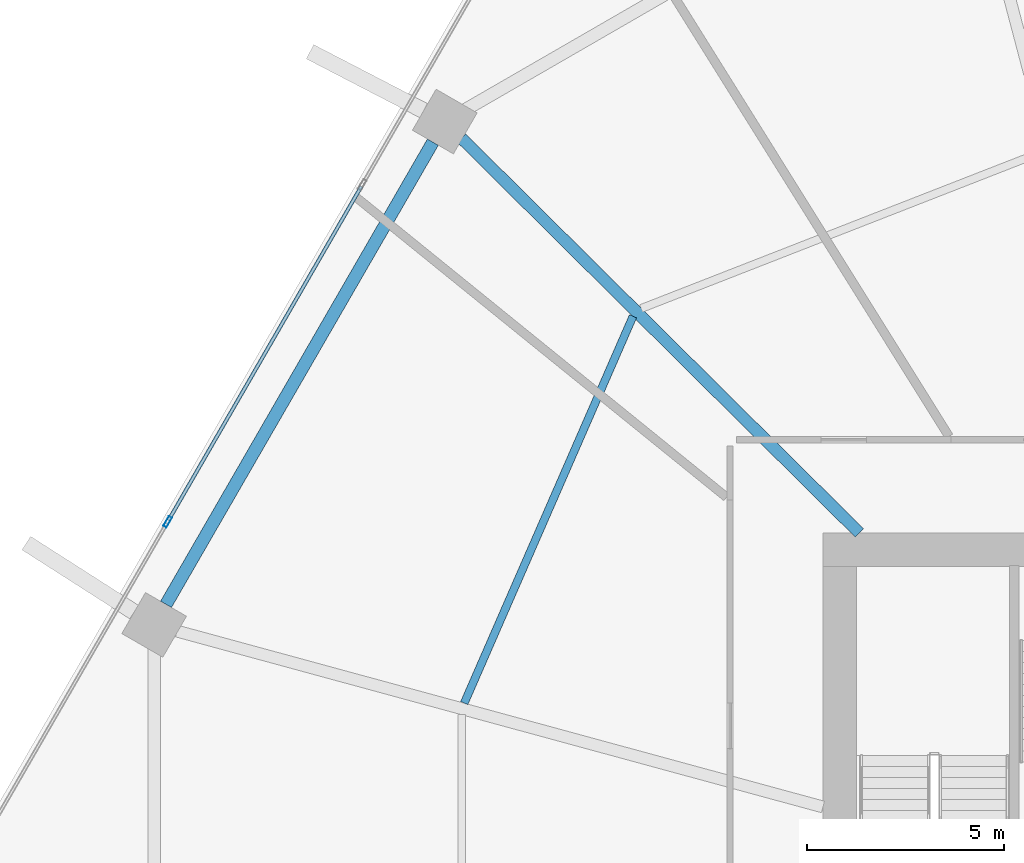
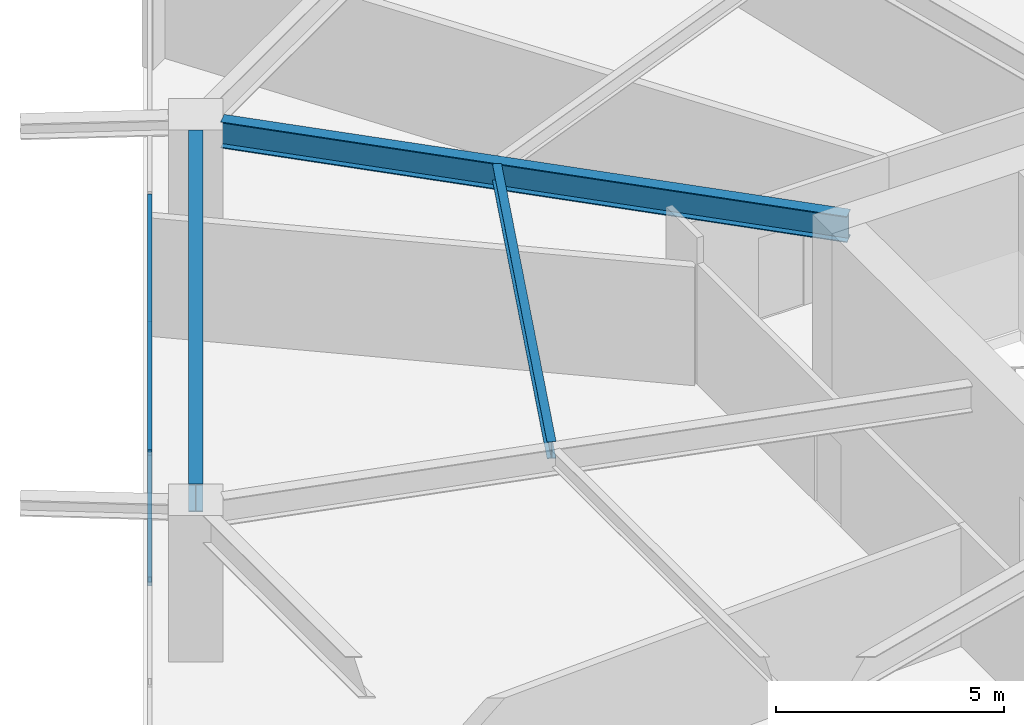
# One storey, part 13 of 26: 3 beams, 3 members, 1 element without a shape of its own.
"""IFC4 building model written with IfcOpenShell, lengths in metres."""

from ifc_helpers import new_model, si_unit, direction, frame, origin, origin_2d, place, context, subcontext, project, spatial, hollow_rectangle, i_section, extrude, material, material_profile, profile_set, type_object, element, aggregate, save


model = new_model("IFC4")

# Units and contexts
model_context = context("Model", 3, precision=1e-05, world=origin(), true_north=direction((0.0, 1.0)))
body_context = subcontext(model_context, "Body", "Model", "MODEL_VIEW")
ifc_project = project(units=[si_unit("LENGTHUNIT", "METRE"), si_unit("AREAUNIT", "SQUARE_METRE"), si_unit("VOLUMEUNIT", "CUBIC_METRE"), si_unit("PLANEANGLEUNIT", "RADIAN"), si_unit("MASSUNIT", "GRAM", prefix="KILO")], contexts=[model_context])

# Site, building, storey
site_placement = place(None, origin())
site = spatial("IfcSite", under=ifc_project, at=site_placement, CompositionType="ELEMENT")
building_placement = place(site_placement, origin())
building = spatial("IfcBuilding", under=site, at=building_placement, Name="Zuhravey Tower", CompositionType="ELEMENT")
storey_placement = place(building_placement, frame((0.0, 0.0, 28.800048828125)))
storey = spatial("IfcBuildingStorey", under=building, at=storey_placement, Name="L07", CompositionType="ELEMENT", Elevation=28.800048828125)

# Curtain wall, members
ifc_material_1 = material(Name="Thermally broken anodised aluminium", Category="aluminium")
curtain_wall_type = type_object("IfcCurtainWallType", Name="School Low-E Unitised Curtain Wall CW1", PredefinedType="NOTDEFINED", material=ifc_material_1)
curtain_wall_placement = place(storey_placement, origin())
curtain_wall = element("IfcCurtainWall", 1, at=curtain_wall_placement, inside=storey, type_object=curtain_wall_type, Name="L07 CW1 CW-L07-F3-1", PredefinedType="NOTDEFINED")
ifc_material_2 = material(Name="Anodised aluminium", Category="aluminium")
ifc_material_profile_1 = material_profile(ifc_material_2, hollow_rectangle(XDim=0.090087890625, YDim=0.284912109375, WallThickness=0.0048828125, at=origin_2d()), Name="ALU-RHS-90x285x5")
ifc_profile_set_1 = profile_set([ifc_material_profile_1], Name="Anodised aluminium")
member_type_1 = type_object("IfcMemberType", Name="Curtain-Wall Mullion 90x180", PredefinedType="MULLION", material=ifc_profile_set_1)
member_1_placement = place(storey_placement, frame((8.45458984375, 42.20703125, 0.0), z_axis=(0.0, 0.0, 1.0), x_axis=(-0.86602552265, 0.499999794119, 0.0)))
member_1 = element("IfcMember", 2, at=member_1_placement, type_object=member_type_1, Name="CW1 mullion 2", PredefinedType="MULLION", context=body_context, shape_type="SweptSolid", body=[
    extrude(hollow_rectangle(XDim=0.090087890625, YDim=0.284912109375, WallThickness=0.0048828125, at=origin_2d()), origin(), (0.0, 0.0, 1.0), 3.491943359375),
])
ifc_material_profile_2 = material_profile(ifc_material_2, hollow_rectangle(XDim=0.090087890625, YDim=0.14990234375, WallThickness=0.0048828125, at=origin_2d()), Name="ALU-RHS-90x150x5")
ifc_profile_set_2 = profile_set([ifc_material_profile_2], Name="Anodised aluminium")
member_type_2 = type_object("IfcMemberType", Name="Curtain-Wall Transom 90x150", PredefinedType="USERDEFINED", material=ifc_profile_set_2)
member_2_placement = place(storey_placement, frame((8.47705078125, 42.245849609375, 0.044921875), z_axis=(0.499990498062, 0.866030889661, 0.0), x_axis=(-0.866030889661, 0.499990498062, 0.0)))
member_2 = element("IfcMember", 3, at=member_2_placement, type_object=member_type_2, Name="CW1 transom 2.1", ObjectType="TRANSOM", PredefinedType="USERDEFINED", context=body_context, shape_type="SweptSolid", body=[
    extrude(hollow_rectangle(XDim=0.090087890625, YDim=0.14990234375, WallThickness=0.0048828125, at=origin_2d()), origin(), (0.0, 0.0, 1.0), 9.776611328125),
])
member_3_placement = place(storey_placement, frame((8.47705078125, 42.245849609375, 3.447021484375), z_axis=(0.499990498062, 0.866030889661, 0.0), x_axis=(-0.866030889661, 0.499990498062, 0.0)))
member_3 = element("IfcMember", 4, at=member_3_placement, type_object=member_type_2, Name="CW1 transom 2.2", ObjectType="TRANSOM", PredefinedType="USERDEFINED", context=body_context, shape_type="SweptSolid", body=[
    extrude(hollow_rectangle(XDim=0.090087890625, YDim=0.14990234375, WallThickness=0.0048828125, at=origin_2d()), origin(), (0.0, 0.0, 1.0), 9.776611328125),
])
aggregate(curtain_wall, [member_1, member_2, member_3])

# Beams
ifc_material_3 = material(Name="Steel SM355", Category="steel")
ifc_material_profile_3 = material_profile(ifc_material_3, i_section(OverallWidth=0.320068359375, OverallDepth=0.75, WebThickness=0.013916015625, FlangeThickness=0.02490234375, at=origin_2d()), Name="H-750x320x14x25")
ifc_profile_set_3 = profile_set([ifc_material_profile_3], Name="Steel SM355")
beam_type_1 = type_object("IfcBeamType", Name="Perimeter Ring Beam H750x320", PredefinedType="BEAM", material=ifc_profile_set_3)
beam_1_placement = place(storey_placement, frame((15.179443359375, 51.834716796875, 3.544921875), z_axis=(-0.499999877243, -0.866025474658, 0.0), x_axis=(0.866025474658, -0.499999877243, 0.0)))
element("IfcBeam", 5, at=beam_1_placement, inside=storey, type_object=beam_type_1, Name="L07 PB1 BM-L07-PB-05", PredefinedType="BEAM", context=body_context, shape_type="SweptSolid", body=[
    extrude(i_section(OverallWidth=0.320068359375, OverallDepth=0.75, WebThickness=0.013916015625, FlangeThickness=0.02490234375, at=origin_2d()), origin(), (0.0, 0.0, 1.0), 13.5341796875),
])
ifc_material_profile_4 = material_profile(ifc_material_3, i_section(OverallWidth=0.300048828125, OverallDepth=0.699951171875, WebThickness=0.012939453125, FlangeThickness=0.02392578125, at=origin_2d()), Name="H-700x300x13x24")
ifc_profile_set_4 = profile_set([ifc_material_profile_4], Name="Steel SM355")
beam_type_2 = type_object("IfcBeamType", Name="Radial Primary Girder H700x300", PredefinedType="BEAM", material=ifc_profile_set_4)
beam_2_placement = place(storey_placement, frame((25.992919921875, 41.927978515625, 3.570068359375), z_axis=(-0.709902823282, 0.704299639, 0.0), x_axis=(-0.704299639, -0.709902823282, 0.0)))
element("IfcBeam", 6, at=beam_2_placement, inside=storey, type_object=beam_type_2, Name="L07 RG1 BM-L07-RAD-05", PredefinedType="BEAM", context=body_context, shape_type="SweptSolid", body=[
    extrude(i_section(OverallWidth=0.300048828125, OverallDepth=0.699951171875, WebThickness=0.012939453125, FlangeThickness=0.02392578125, at=origin_2d()), origin(), (0.0, 0.0, 1.0), 14.204345703125),
])
ifc_material_profile_5 = material_profile(ifc_material_3, i_section(OverallWidth=0.199951171875, OverallDepth=0.449951171875, WebThickness=0.009033203125, FlangeThickness=0.013916015625, at=origin_2d()), Name="H-450x200x9x14")
ifc_profile_set_5 = profile_set([ifc_material_profile_5], Name="Steel SM355")
beam_type_3 = type_object("IfcBeamType", Name="Secondary Floor Joist H450x200", PredefinedType="JOIST", material=ifc_profile_set_5)
beam_3_placement = place(storey_placement, frame((20.2548828125, 47.41845703125, 3.695068359375), z_axis=(-0.399923551578, -0.916548500022, 0.0), x_axis=(0.916548500022, -0.399923551578, 0.0)))
element("IfcBeam", 7, at=beam_3_placement, inside=storey, type_object=beam_type_3, Name="L07 SJ1 BM-L07-SJ-05-1", PredefinedType="JOIST", context=body_context, shape_type="SweptSolid", body=[
    extrude(i_section(OverallWidth=0.199951171875, OverallDepth=0.449951171875, WebThickness=0.009033203125, FlangeThickness=0.013916015625, at=origin_2d()), origin(), (0.0, 0.0, 1.0), 10.70263671875),
])

save(model, "model.ifc")
